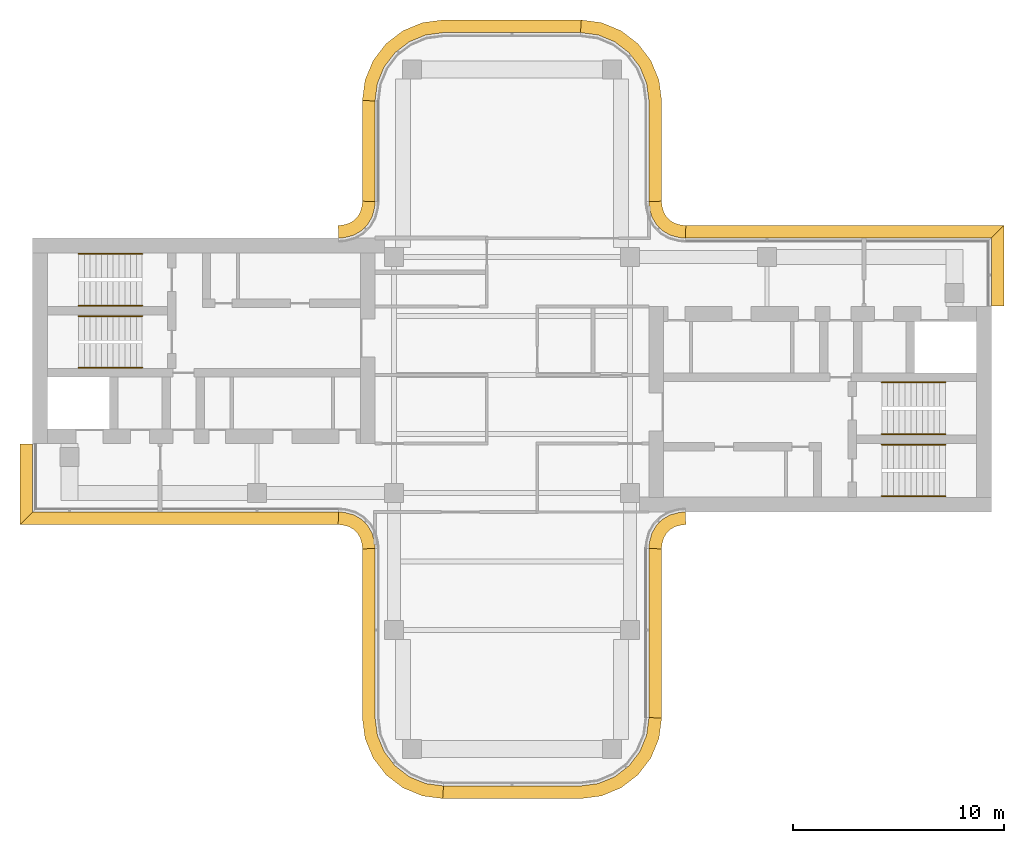
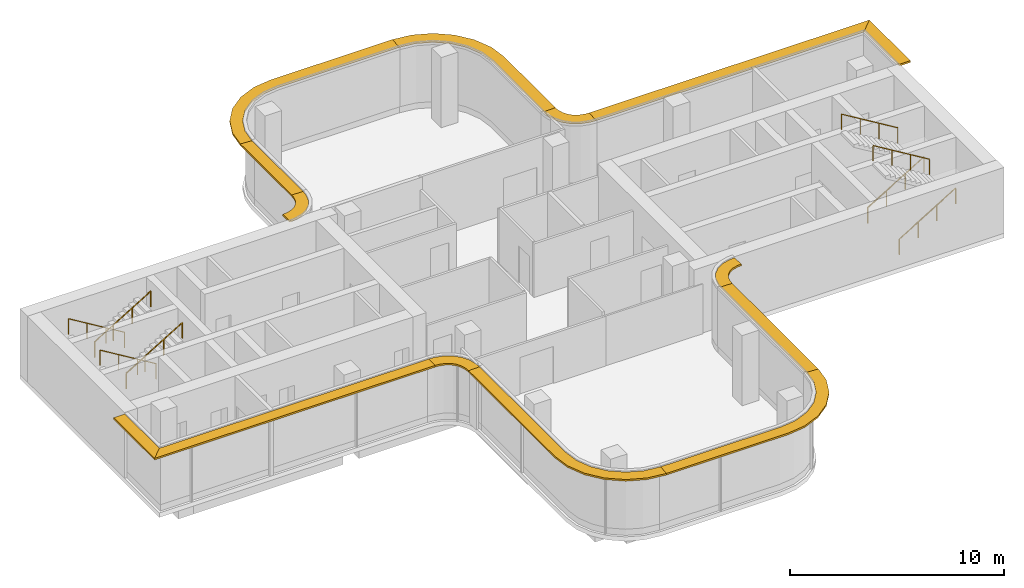
# One storey, part 11 of 11: 14 shading devices, 8 railings.
"""IFC4 building model written with IfcOpenShell, lengths in metres."""

from ifc_helpers import new_model, si_unit, direction, frame, origin, origin_2d, place, context, subcontext, project, spatial, polyline, circle, outline, extrude, source, transform, mapped, material, layer, layer_set, type_object, element, save


model = new_model("IFC4")

# Units and contexts
model_context = context("Model", 3, precision=1e-05, world=origin(), true_north=direction((0.0, 1.0)))
body_context = subcontext(model_context, "Body", "Model", "MODEL_VIEW")
ifc_project = project(units=[si_unit("LENGTHUNIT", "METRE"), si_unit("AREAUNIT", "SQUARE_METRE"), si_unit("VOLUMEUNIT", "CUBIC_METRE"), si_unit("PLANEANGLEUNIT", "RADIAN"), si_unit("MASSUNIT", "GRAM", prefix="KILO")], contexts=[model_context])

# Site, building, storey
site_placement = place(None, origin())
site = spatial("IfcSite", under=ifc_project, at=site_placement, CompositionType="ELEMENT")
building_placement = place(site_placement, origin())
building = spatial("IfcBuilding", under=site, at=building_placement, Name="Trellis Farm Tower", CompositionType="ELEMENT")
storey_placement = place(building_placement, frame((0.0, 0.0, 342.10009765625)))
storey = spatial("IfcBuildingStorey", under=building, at=storey_placement, Name="L77", CompositionType="ELEMENT", Elevation=342.10009765625)

# Railings
ifc_material_1 = material(Name="Stainless steel", Category="steel")
railing_type = type_object("IfcRailingType", Name="STAIR HANDRAIL 900", PredefinedType="HANDRAIL", material=ifc_material_1)
shared_shape_1 = source(origin(), body_context, "Body", "SweptSolid", [
    extrude(circle(Radius=0.02392578125, at=origin_2d()), frame((0.0, 0.0, 0.8759765625), z_axis=(0.855170017971, 0.0, 0.518347605727), x_axis=(0.0, 1.0, 0.0)), (0.0, 0.0, 1.0), 3.537109375),
    extrude(circle(Radius=0.02099609375, at=origin_2d()), origin(), (0.0, 0.0, 1.0), 0.851806640625),
    extrude(circle(Radius=0.02099609375, at=origin_2d()), frame((1.00830078125, 0.0, 0.611083984375)), (0.0, 0.0, 1.0), 0.851806640625),
    extrude(circle(Radius=0.02099609375, at=origin_2d()), frame((2.0166015625, 0.0, 1.222412109375)), (0.0, 0.0, 1.0), 0.851806640625),
    extrude(circle(Radius=0.02099609375, at=origin_2d()), frame((3.02490234375, 0.0, 1.83349609375)), (0.0, 0.0, 1.0), 0.851806640625),
])
for number, where, name in (
    (1, (17.550048828125, -5.75, 0.16650390625), "Stair handrail"),
    (2, (17.550048828125, -2.800048828125, 0.16650390625), "Stair handrail"),
    (3, (-20.574951171875, 3.300048828125, 2.16650390625), "Stair handrail"),
    (4, (-20.574951171875, 0.35009765625, 2.16650390625), "Stair handrail"),
):
    element("IfcRailing", number, at=place(storey_placement, frame(where)), inside=storey, type_object=railing_type, Name=name, PredefinedType="HANDRAIL", context=body_context, shape_type="MappedRepresentation", body=[
        mapped(shared_shape_1, transform((0.0, 0.0, 0.0))),
    ])
shared_shape_2 = source(origin(), body_context, "Body", "SweptSolid", [
    extrude(circle(Radius=0.02392578125, at=origin_2d()), frame((0.0, 0.0, 0.8759765625), z_axis=(-0.855170017971, 0.0, 0.518347605727), x_axis=(0.0, -1.0, 0.0)), (0.0, 0.0, 1.0), 3.537109375),
    extrude(circle(Radius=0.02099609375, at=origin_2d()), origin(), (0.0, 0.0, 1.0), 0.851806640625),
    extrude(circle(Radius=0.02099609375, at=origin_2d()), frame((-1.00830078125, 0.0, 0.611083984375)), (0.0, 0.0, 1.0), 0.851806640625),
    extrude(circle(Radius=0.02099609375, at=origin_2d()), frame((-2.0166015625, 0.0, 1.222412109375)), (0.0, 0.0, 1.0), 0.851806640625),
    extrude(circle(Radius=0.02099609375, at=origin_2d()), frame((-3.02490234375, 0.0, 1.83349609375)), (0.0, 0.0, 1.0), 0.851806640625),
])
for number, where, name in (
    (5, (20.574951171875, -3.300048828125, 2.16650390625), "Stair handrail"),
    (6, (20.574951171875, -0.35009765625, 2.16650390625), "Stair handrail"),
    (7, (-17.550048828125, 5.75, 0.16650390625), "Stair handrail"),
    (8, (-17.550048828125, 2.800048828125, 0.16650390625), "Stair handrail"),
):
    element("IfcRailing", number, at=place(storey_placement, frame(where)), inside=storey, type_object=railing_type, Name=name, PredefinedType="HANDRAIL", context=body_context, shape_type="MappedRepresentation", body=[
        mapped(shared_shape_2, transform((0.0, 0.0, 0.0))),
    ])

# Shading devices
ifc_material_2 = material(Name="Aluminium extrusion 6063-T6", Category="aluminium")
ifc_layer = layer(ifc_material_2, 0.10009765625)
ifc_layer_set = layer_set([ifc_layer], Name="SUNSHADE BLADE 600")
shading_device_type = type_object("IfcShadingDeviceType", Name="SUNSHADE BLADE 600", PredefinedType="USERDEFINED", material=ifc_layer_set)
shared_shape_3 = source(origin(), body_context, "Body", "SweptSolid", [
    extrude(outline(polyline([(-7.10009765625, -8.2509765625), (-7.10009765625, -16.289306640625), (-6.973876953125, -17.247802734375), (-6.588623046875, -18.177490234375), (-5.97607421875, -18.97607421875), (-5.177490234375, -19.588623046875), (-4.247802734375, -19.973876953125), (-3.289306640625, -20.10009765625), (-3.25, -19.5), (-4.091064453125, -19.38916015625), (-4.875, -19.064697265625), (-5.548095703125, -18.548095703125), (-6.064697265625, -17.875), (-6.38916015625, -17.091064453125), (-6.5, -16.25), (-6.5, -8.2314453125), (-7.10009765625, -8.2509765625)])), origin(), (0.0, 0.0, 1.0), 0.10009765625),
])
placement = place(storey_placement, frame((0.0, 0.0, 3.58984375)))
element("IfcShadingDevice", 9, at=placement, inside=storey, type_object=shading_device_type, Name="SD3 001", ObjectType="SUNSHADE", PredefinedType="USERDEFINED", context=body_context, shape_type="MappedRepresentation", body=[
    mapped(shared_shape_3, transform((0.0, 0.0, 0.0))),
])
shared_shape_4 = source(origin(), body_context, "Body", "SweptSolid", [
    extrude(outline(polyline([(-3.289306640625, -20.10009765625), (3.289306640625, -20.10009765625), (4.247802734375, -19.973876953125), (5.177490234375, -19.588623046875), (5.97607421875, -18.97607421875), (6.588623046875, -18.177490234375), (6.973876953125, -17.247802734375), (7.10009765625, -16.289306640625), (6.5, -16.25), (6.38916015625, -17.091064453125), (6.064697265625, -17.875), (5.548095703125, -18.548095703125), (4.875, -19.064697265625), (4.091064453125, -19.38916015625), (3.25, -19.5), (-3.25, -19.5), (-3.289306640625, -20.10009765625)])), origin(), (0.0, 0.0, 1.0), 0.10009765625),
])
element("IfcShadingDevice", 10, at=placement, inside=storey, type_object=shading_device_type, Name="SD3 002", ObjectType="SUNSHADE", PredefinedType="USERDEFINED", context=body_context, shape_type="MappedRepresentation", body=[
    mapped(shared_shape_4, transform((0.0, 0.0, 0.0))),
])
shared_shape_5 = source(origin(), body_context, "Body", "SweptSolid", [
    extrude(outline(polyline([(7.10009765625, -16.289306640625), (7.10009765625, -8.2509765625), (6.5, -8.2314453125), (6.5, -16.25), (7.10009765625, -16.289306640625)])), origin(), (0.0, 0.0, 1.0), 0.10009765625),
])
element("IfcShadingDevice", 11, at=placement, inside=storey, type_object=shading_device_type, Name="SD3 003", ObjectType="SUNSHADE", PredefinedType="USERDEFINED", context=body_context, shape_type="MappedRepresentation", body=[
    mapped(shared_shape_5, transform((0.0, 0.0, 0.0))),
])
shared_shape_6 = source(origin(), body_context, "Body", "SweptSolid", [
    extrude(outline(polyline([(7.10009765625, -8.2509765625), (7.111328125, -8.078369140625), (7.1171875, -8.032958984375), (7.19580078125, -7.739990234375), (7.3271484375, -7.5126953125), (7.5126953125, -7.3271484375), (7.739990234375, -7.19580078125), (8.032958984375, -7.1171875), (8.078369140625, -7.111328125), (8.2509765625, -7.10009765625), (8.2314453125, -6.5), (8.01953125, -6.513916015625), (7.91552734375, -6.527587890625), (7.508544921875, -6.63671875), (7.144287109375, -6.846923828125), (6.846923828125, -7.144287109375), (6.63671875, -7.508544921875), (6.527587890625, -7.91552734375), (6.513916015625, -8.01953125), (6.5, -8.2314453125), (7.10009765625, -8.2509765625)])), origin(), (0.0, 0.0, 1.0), 0.10009765625),
])
element("IfcShadingDevice", 12, at=placement, inside=storey, type_object=shading_device_type, Name="SD3 004", ObjectType="SUNSHADE", PredefinedType="USERDEFINED", context=body_context, shape_type="MappedRepresentation", body=[
    mapped(shared_shape_6, transform((0.0, 0.0, 0.0))),
])
shared_shape_7 = source(origin(), body_context, "Body", "SweptSolid", [
    extrude(outline(polyline([(23.35009765625, 3.280029296875), (23.35009765625, 7.10009765625), (22.75, 6.5), (22.75, 3.280029296875), (23.35009765625, 3.280029296875)])), origin(), (0.0, 0.0, 1.0), 0.10009765625),
])
element("IfcShadingDevice", 13, at=placement, inside=storey, type_object=shading_device_type, Name="SD3 005", ObjectType="SUNSHADE", PredefinedType="USERDEFINED", context=body_context, shape_type="MappedRepresentation", body=[
    mapped(shared_shape_7, transform((0.0, 0.0, 0.0))),
])
shared_shape_8 = source(origin(), body_context, "Body", "SweptSolid", [
    extrude(outline(polyline([(23.35009765625, 7.10009765625), (8.2509765625, 7.10009765625), (8.2314453125, 6.5), (22.75, 6.5), (23.35009765625, 7.10009765625)])), origin(), (0.0, 0.0, 1.0), 0.10009765625),
])
element("IfcShadingDevice", 14, at=placement, inside=storey, type_object=shading_device_type, Name="SD3 006", ObjectType="SUNSHADE", PredefinedType="USERDEFINED", context=body_context, shape_type="MappedRepresentation", body=[
    mapped(shared_shape_8, transform((0.0, 0.0, 0.0))),
])
shared_shape_9 = source(origin(), body_context, "Body", "SweptSolid", [
    extrude(outline(polyline([(8.2509765625, 7.10009765625), (8.078369140625, 7.111328125), (8.032958984375, 7.1171875), (7.739990234375, 7.19580078125), (7.5126953125, 7.3271484375), (7.3271484375, 7.5126953125), (7.19580078125, 7.739990234375), (7.1171875, 8.032958984375), (7.111328125, 8.078369140625), (7.10009765625, 8.2509765625), (6.5, 8.2314453125), (6.513916015625, 8.01953125), (6.527587890625, 7.91552734375), (6.63671875, 7.508544921875), (6.846923828125, 7.144287109375), (7.144287109375, 6.846923828125), (7.508544921875, 6.63671875), (7.91552734375, 6.527587890625), (8.01953125, 6.513916015625), (8.2314453125, 6.5), (8.2509765625, 7.10009765625)])), origin(), (0.0, 0.0, 1.0), 0.10009765625),
])
element("IfcShadingDevice", 15, at=placement, inside=storey, type_object=shading_device_type, Name="SD3 007", ObjectType="SUNSHADE", PredefinedType="USERDEFINED", context=body_context, shape_type="MappedRepresentation", body=[
    mapped(shared_shape_9, transform((0.0, 0.0, 0.0))),
])
shared_shape_10 = source(origin(), body_context, "Body", "SweptSolid", [
    extrude(outline(polyline([(7.10009765625, 8.2509765625), (7.10009765625, 13.039306640625), (6.973876953125, 13.997802734375), (6.588623046875, 14.927490234375), (5.97607421875, 15.72607421875), (5.177490234375, 16.338623046875), (4.247802734375, 16.723876953125), (3.289306640625, 16.85009765625), (3.25, 16.25), (4.091064453125, 16.13916015625), (4.875, 15.814697265625), (5.548095703125, 15.298095703125), (6.064697265625, 14.625), (6.38916015625, 13.841064453125), (6.5, 13.0), (6.5, 8.2314453125), (7.10009765625, 8.2509765625)])), origin(), (0.0, 0.0, 1.0), 0.10009765625),
])
element("IfcShadingDevice", 16, at=placement, inside=storey, type_object=shading_device_type, Name="SD3 008", ObjectType="SUNSHADE", PredefinedType="USERDEFINED", context=body_context, shape_type="MappedRepresentation", body=[
    mapped(shared_shape_10, transform((0.0, 0.0, 0.0))),
])
shared_shape_11 = source(origin(), body_context, "Body", "SweptSolid", [
    extrude(outline(polyline([(3.289306640625, 16.85009765625), (-3.289306640625, 16.85009765625), (-4.247802734375, 16.723876953125), (-5.177490234375, 16.338623046875), (-5.97607421875, 15.72607421875), (-6.588623046875, 14.927490234375), (-6.973876953125, 13.997802734375), (-7.10009765625, 13.039306640625), (-6.5, 13.0), (-6.38916015625, 13.841064453125), (-6.064697265625, 14.625), (-5.548095703125, 15.298095703125), (-4.875, 15.814697265625), (-4.091064453125, 16.13916015625), (-3.25, 16.25), (3.25, 16.25), (3.289306640625, 16.85009765625)])), origin(), (0.0, 0.0, 1.0), 0.10009765625),
])
element("IfcShadingDevice", 17, at=placement, inside=storey, type_object=shading_device_type, Name="SD3 009", ObjectType="SUNSHADE", PredefinedType="USERDEFINED", context=body_context, shape_type="MappedRepresentation", body=[
    mapped(shared_shape_11, transform((0.0, 0.0, 0.0))),
])
shared_shape_12 = source(origin(), body_context, "Body", "SweptSolid", [
    extrude(outline(polyline([(-7.10009765625, 13.039306640625), (-7.10009765625, 8.2509765625), (-6.5, 8.2314453125), (-6.5, 13.0), (-7.10009765625, 13.039306640625)])), origin(), (0.0, 0.0, 1.0), 0.10009765625),
])
element("IfcShadingDevice", 18, at=placement, inside=storey, type_object=shading_device_type, Name="SD3 010", ObjectType="SUNSHADE", PredefinedType="USERDEFINED", context=body_context, shape_type="MappedRepresentation", body=[
    mapped(shared_shape_12, transform((0.0, 0.0, 0.0))),
])
shared_shape_13 = source(origin(), body_context, "Body", "SweptSolid", [
    extrude(outline(polyline([(-7.10009765625, 8.2509765625), (-7.111328125, 8.078369140625), (-7.1171875, 8.032958984375), (-7.19580078125, 7.739990234375), (-7.3271484375, 7.5126953125), (-7.5126953125, 7.3271484375), (-7.739990234375, 7.19580078125), (-8.032958984375, 7.1171875), (-8.078369140625, 7.111328125), (-8.2509765625, 7.10009765625), (-8.2314453125, 6.5), (-8.01953125, 6.513916015625), (-7.91552734375, 6.527587890625), (-7.508544921875, 6.63671875), (-7.144287109375, 6.846923828125), (-6.846923828125, 7.144287109375), (-6.63671875, 7.508544921875), (-6.527587890625, 7.91552734375), (-6.513916015625, 8.01953125), (-6.5, 8.2314453125), (-7.10009765625, 8.2509765625)])), origin(), (0.0, 0.0, 1.0), 0.10009765625),
])
element("IfcShadingDevice", 19, at=placement, inside=storey, type_object=shading_device_type, Name="SD3 011", ObjectType="SUNSHADE", PredefinedType="USERDEFINED", context=body_context, shape_type="MappedRepresentation", body=[
    mapped(shared_shape_13, transform((0.0, 0.0, 0.0))),
])
shared_shape_14 = source(origin(), body_context, "Body", "SweptSolid", [
    extrude(outline(polyline([(-23.35009765625, -3.280029296875), (-23.35009765625, -7.10009765625), (-22.75, -6.5), (-22.75, -3.280029296875), (-23.35009765625, -3.280029296875)])), origin(), (0.0, 0.0, 1.0), 0.10009765625),
])
element("IfcShadingDevice", 20, at=placement, inside=storey, type_object=shading_device_type, Name="SD3 012", ObjectType="SUNSHADE", PredefinedType="USERDEFINED", context=body_context, shape_type="MappedRepresentation", body=[
    mapped(shared_shape_14, transform((0.0, 0.0, 0.0))),
])
shared_shape_15 = source(origin(), body_context, "Body", "SweptSolid", [
    extrude(outline(polyline([(-23.35009765625, -7.10009765625), (-8.2509765625, -7.10009765625), (-8.2314453125, -6.5), (-22.75, -6.5), (-23.35009765625, -7.10009765625)])), origin(), (0.0, 0.0, 1.0), 0.10009765625),
])
element("IfcShadingDevice", 21, at=placement, inside=storey, type_object=shading_device_type, Name="SD3 013", ObjectType="SUNSHADE", PredefinedType="USERDEFINED", context=body_context, shape_type="MappedRepresentation", body=[
    mapped(shared_shape_15, transform((0.0, 0.0, 0.0))),
])
shared_shape_16 = source(origin(), body_context, "Body", "SweptSolid", [
    extrude(outline(polyline([(-8.2509765625, -7.10009765625), (-8.078369140625, -7.111328125), (-8.032958984375, -7.1171875), (-7.739990234375, -7.19580078125), (-7.5126953125, -7.3271484375), (-7.3271484375, -7.5126953125), (-7.19580078125, -7.739990234375), (-7.1171875, -8.032958984375), (-7.111328125, -8.078369140625), (-7.10009765625, -8.2509765625), (-6.5, -8.2314453125), (-6.513916015625, -8.01953125), (-6.527587890625, -7.91552734375), (-6.63671875, -7.508544921875), (-6.846923828125, -7.144287109375), (-7.144287109375, -6.846923828125), (-7.508544921875, -6.63671875), (-7.91552734375, -6.527587890625), (-8.01953125, -6.513916015625), (-8.2314453125, -6.5), (-8.2509765625, -7.10009765625)])), origin(), (0.0, 0.0, 1.0), 0.10009765625),
])
element("IfcShadingDevice", 22, at=placement, inside=storey, type_object=shading_device_type, Name="SD3 014", ObjectType="SUNSHADE", PredefinedType="USERDEFINED", context=body_context, shape_type="MappedRepresentation", body=[
    mapped(shared_shape_16, transform((0.0, 0.0, 0.0))),
])

save(model, "model.ifc")
